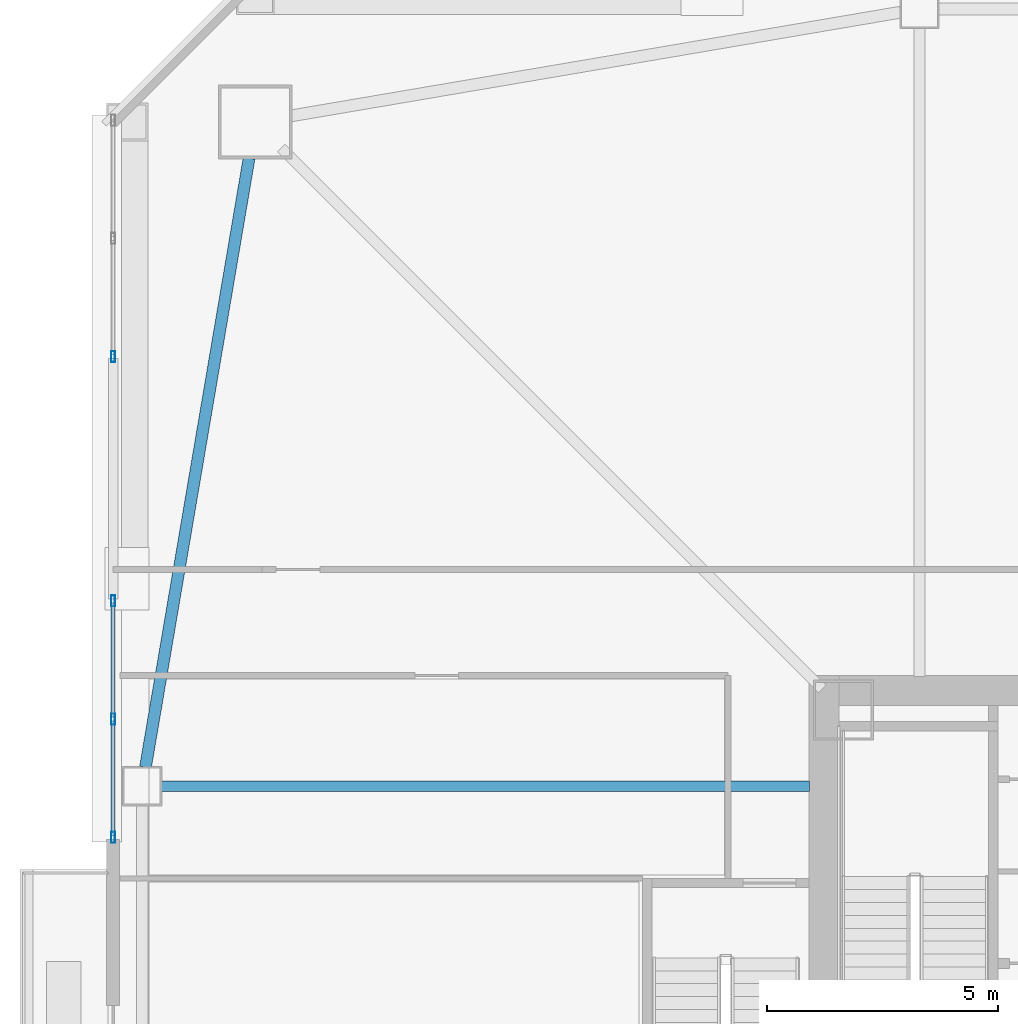
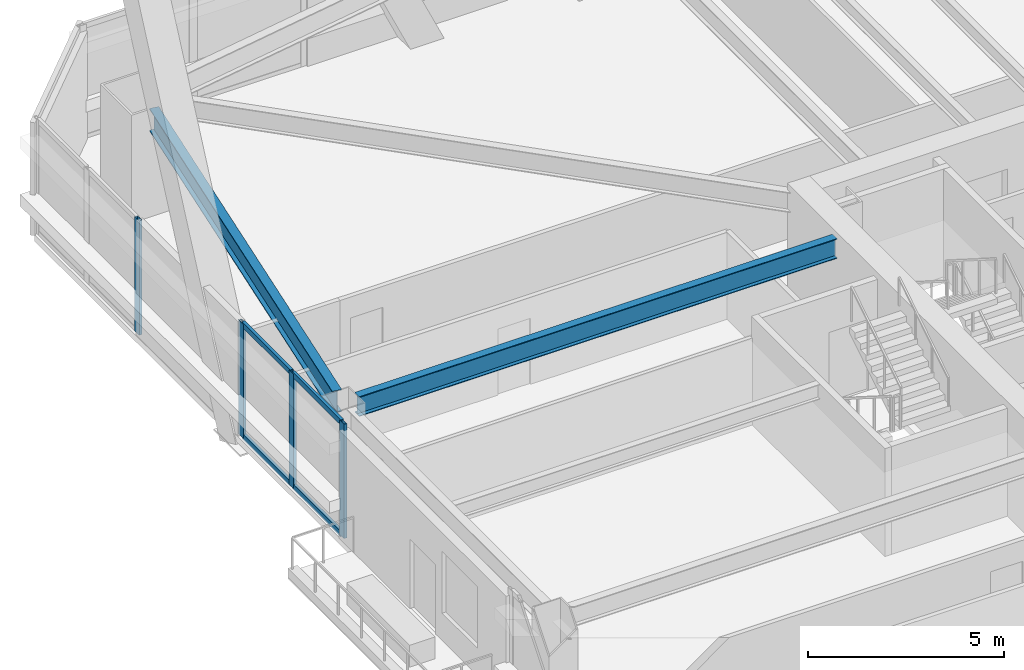
# One storey, part 17 of 75: 8 members, 2 beams, 2 elements without a shape of their own.
"""IFC4 building model written with IfcOpenShell, lengths in metres."""

from ifc_helpers import new_model, si_unit, direction, frame, origin, origin_2d, place, context, subcontext, project, spatial, hollow_rectangle, i_section, extrude, material, material_profile, profile_set, type_object, element, aggregate, save


model = new_model("IFC4")

# Units and contexts
model_context = context("Model", 3, precision=1e-05, world=origin(), true_north=direction((0.0, 1.0)))
body_context = subcontext(model_context, "Body", "Model", "MODEL_VIEW")
ifc_project = project(units=[si_unit("LENGTHUNIT", "METRE"), si_unit("AREAUNIT", "SQUARE_METRE"), si_unit("VOLUMEUNIT", "CUBIC_METRE"), si_unit("PLANEANGLEUNIT", "RADIAN"), si_unit("MASSUNIT", "GRAM", prefix="KILO")], contexts=[model_context])

# Site, building, storey
site_placement = place(None, origin())
site = spatial("IfcSite", under=ifc_project, at=site_placement, CompositionType="ELEMENT")
building_placement = place(site_placement, origin())
building = spatial("IfcBuilding", under=site, at=building_placement, Name="Tashvorn Skyway Center", CompositionType="ELEMENT")
storey_placement = place(building_placement, frame((0.0, 0.0, 45.89990234375)))
storey = spatial("IfcBuildingStorey", under=building, at=storey_placement, Name="L11", CompositionType="ELEMENT", Elevation=45.89990234375)

# Beams
ifc_material_1 = material(Name="Steel ASTM A992 Grade 50", Category="steel")
ifc_material_profile_1 = material_profile(ifc_material_1, i_section(OverallWidth=0.22998046875, OverallDepth=0.616943359375, WebThickness=0.01318359375, FlangeThickness=0.022216796875, at=origin_2d()), Name="W24X94")
ifc_profile_set_1 = profile_set([ifc_material_profile_1], Name="Steel ASTM A992 Grade 50")
beam_type_1 = type_object("IfcBeamType", Name="BM-BEAM-W24X94", PredefinedType="BEAM", material=ifc_profile_set_1)
beam_1_placement = place(storey_placement, frame((20.169921875, 37.39990234375, 3.04150390625), z_axis=(1.0, 0.0, 0.0), x_axis=(0.0, 1.0, 0.0)))
element("IfcBeam", 1, at=beam_1_placement, inside=storey, type_object=beam_type_1, Name="Tower 1 L11 Primary Floor Girder FC-W1", PredefinedType="BEAM", context=body_context, shape_type="SweptSolid", body=[
    extrude(i_section(OverallWidth=0.22998046875, OverallDepth=0.616943359375, WebThickness=0.01318359375, FlangeThickness=0.022216796875, at=origin_2d()), origin(), (0.0, 0.0, 1.0), 14.050048828125),
])
ifc_material_profile_2 = material_profile(ifc_material_1, i_section(OverallWidth=0.256103515625, OverallDepth=0.693115234375, WebThickness=0.014404296875, FlangeThickness=0.023681640625, at=origin_2d()), Name="W27X114")
ifc_profile_set_2 = profile_set([ifc_material_profile_2], Name="Steel ASTM A992 Grade 50")
beam_type_2 = type_object("IfcBeamType", Name="BM-SPANDREL-W27X114", PredefinedType="SPANDREL", material=ifc_profile_set_2)
beam_2_placement = place(storey_placement, frame((22.066650390625, 51.016357421875, 3.003662109375), z_axis=(-0.16771792509, -0.985835025551, 0.0), x_axis=(0.985835025551, -0.16771792509, 0.0)))
element("IfcBeam", 2, at=beam_2_placement, inside=storey, type_object=beam_type_2, Name="Tower 1 L11 Spandrel Beam 10", PredefinedType="SPANDREL", context=body_context, shape_type="SweptSolid", body=[
    extrude(i_section(OverallWidth=0.256103515625, OverallDepth=0.693115234375, WebThickness=0.014404296875, FlangeThickness=0.023681640625, at=origin_2d()), origin(), (0.0, 0.0, 1.0), 13.39208984375),
])

# Curtain wall, members
ifc_material_2 = material(Name="Thermally broken bronze-anodized aluminium 6063-T6", Category="aluminium")
curtain_wall_type = type_object("IfcCurtainWallType", Name="CW-CW-Z1", PredefinedType="NOTDEFINED", material=ifc_material_2)
curtain_wall_1_placement = place(storey_placement, origin())
curtain_wall_1 = element("IfcCurtainWall", 3, at=curtain_wall_1_placement, inside=storey, type_object=curtain_wall_type, Name="Tower 1 L11 West Curtain Wall R Glazing Group 1", PredefinedType="NOTDEFINED")
ifc_material_profile_3 = material_profile(ifc_material_2, hollow_rectangle(XDim=0.0849609375, YDim=0.239990234375, WallThickness=0.0048828125, at=origin_2d()), Name="ALU-MULL-85x240")
ifc_profile_set_3 = profile_set([ifc_material_profile_3], Name="Thermally broken bronze-anodized aluminium 6063-T6")
member_type_1 = type_object("IfcMemberType", Name="CWM-CW-Z1", PredefinedType="MULLION", material=ifc_profile_set_3)
member_1_placement = place(storey_placement, frame((19.1201171875, 36.29248046875, 0.0), z_axis=(0.0, 0.0, 1.0), x_axis=(-1.0, 0.0, 0.0)))
member_1 = element("IfcMember", 4, at=member_1_placement, type_object=member_type_1, Name="CW-Z1 mullion 1", PredefinedType="MULLION", context=body_context, shape_type="SweptSolid", body=[
    extrude(hollow_rectangle(XDim=0.0849609375, YDim=0.239990234375, WallThickness=0.0048828125, at=origin_2d()), origin(), (0.0, 0.0, 1.0), 3.550048828125),
])
member_2_placement = place(storey_placement, frame((19.1201171875, 38.85498046875, 0.0), z_axis=(0.0, 0.0, 1.0), x_axis=(-1.0, 0.0, 0.0)))
member_2 = element("IfcMember", 5, at=member_2_placement, type_object=member_type_1, Name="CW-Z1 mullion 2", PredefinedType="MULLION", context=body_context, shape_type="SweptSolid", body=[
    extrude(hollow_rectangle(XDim=0.0849609375, YDim=0.239990234375, WallThickness=0.0048828125, at=origin_2d()), origin(), (0.0, 0.0, 1.0), 3.550048828125),
])
member_3_placement = place(storey_placement, frame((19.1201171875, 41.41748046875, 0.0), z_axis=(0.0, 0.0, 1.0), x_axis=(-1.0, 0.0, 0.0)))
member_3 = element("IfcMember", 6, at=member_3_placement, type_object=member_type_1, Name="CW-Z1 mullion 3", PredefinedType="MULLION", context=body_context, shape_type="SweptSolid", body=[
    extrude(hollow_rectangle(XDim=0.0849609375, YDim=0.239990234375, WallThickness=0.0048828125, at=origin_2d()), origin(), (0.0, 0.0, 1.0), 3.550048828125),
])

# Curtain wall, member
curtain_wall_2_placement = place(storey_placement, origin())
curtain_wall_2 = element("IfcCurtainWall", 7, at=curtain_wall_2_placement, inside=storey, type_object=curtain_wall_type, Name="Tower 1 L11 West Curtain Wall R Glazing Group 2", PredefinedType="NOTDEFINED")
member_4_placement = place(storey_placement, frame((19.1201171875, 46.71240234375, 0.0), z_axis=(0.0, 0.0, 1.0), x_axis=(-1.0, 0.0, 0.0)))
member_4 = element("IfcMember", 8, at=member_4_placement, type_object=member_type_1, Name="CW-Z1 mullion 1", PredefinedType="MULLION", context=body_context, shape_type="SweptSolid", body=[
    extrude(hollow_rectangle(XDim=0.0849609375, YDim=0.239990234375, WallThickness=0.0048828125, at=origin_2d()), origin(), (0.0, 0.0, 1.0), 3.550048828125),
])
aggregate(curtain_wall_2, [member_4])

# Member
ifc_material_profile_4 = material_profile(ifc_material_2, hollow_rectangle(XDim=0.0849609375, YDim=0.1650390625, WallThickness=0.0048828125, at=origin_2d()), Name="ALU-TRAN-85x165")
ifc_profile_set_4 = profile_set([ifc_material_profile_4], Name="Thermally broken bronze-anodized aluminium 6063-T6")
member_type_2 = type_object("IfcMemberType", Name="CWT-CW-Z1", PredefinedType="USERDEFINED", material=ifc_profile_set_4)
member_5_placement = place(storey_placement, frame((19.1201171875, 36.3349609375, 0.04248046875), z_axis=(0.0, 1.0, 0.0), x_axis=(-1.0, 0.0, 0.0)))
member_5 = element("IfcMember", 9, at=member_5_placement, type_object=member_type_2, Name="CW-Z1 transom 1.1", ObjectType="TRANSOM", PredefinedType="USERDEFINED", context=body_context, shape_type="SweptSolid", body=[
    extrude(hollow_rectangle(XDim=0.0849609375, YDim=0.1650390625, WallThickness=0.0048828125, at=origin_2d()), origin(), (0.0, 0.0, 1.0), 2.4775390625),
])

member_6_placement = place(storey_placement, frame((19.1201171875, 36.3349609375, 3.507568359375), z_axis=(0.0, 1.0, 0.0), x_axis=(-1.0, 0.0, 0.0)))
member_6 = element("IfcMember", 10, at=member_6_placement, type_object=member_type_2, Name="CW-Z1 transom 1.2", ObjectType="TRANSOM", PredefinedType="USERDEFINED", context=body_context, shape_type="SweptSolid", body=[
    extrude(hollow_rectangle(XDim=0.0849609375, YDim=0.1650390625, WallThickness=0.0048828125, at=origin_2d()), origin(), (0.0, 0.0, 1.0), 2.4775390625),
])

member_7_placement = place(storey_placement, frame((19.1201171875, 38.8974609375, 0.04248046875), z_axis=(0.0, 1.0, 0.0), x_axis=(-1.0, 0.0, 0.0)))
member_7 = element("IfcMember", 11, at=member_7_placement, type_object=member_type_2, Name="CW-Z1 transom 2.1", ObjectType="TRANSOM", PredefinedType="USERDEFINED", context=body_context, shape_type="SweptSolid", body=[
    extrude(hollow_rectangle(XDim=0.0849609375, YDim=0.1650390625, WallThickness=0.0048828125, at=origin_2d()), origin(), (0.0, 0.0, 1.0), 2.4775390625),
])

member_8_placement = place(storey_placement, frame((19.1201171875, 38.8974609375, 3.507568359375), z_axis=(0.0, 1.0, 0.0), x_axis=(-1.0, 0.0, 0.0)))
member_8 = element("IfcMember", 12, at=member_8_placement, type_object=member_type_2, Name="CW-Z1 transom 2.2", ObjectType="TRANSOM", PredefinedType="USERDEFINED", context=body_context, shape_type="SweptSolid", body=[
    extrude(hollow_rectangle(XDim=0.0849609375, YDim=0.1650390625, WallThickness=0.0048828125, at=origin_2d()), origin(), (0.0, 0.0, 1.0), 2.4775390625),
])

aggregate(curtain_wall_1, [member_1, member_2, member_3, member_5, member_6, member_7, member_8])

save(model, "model.ifc")
